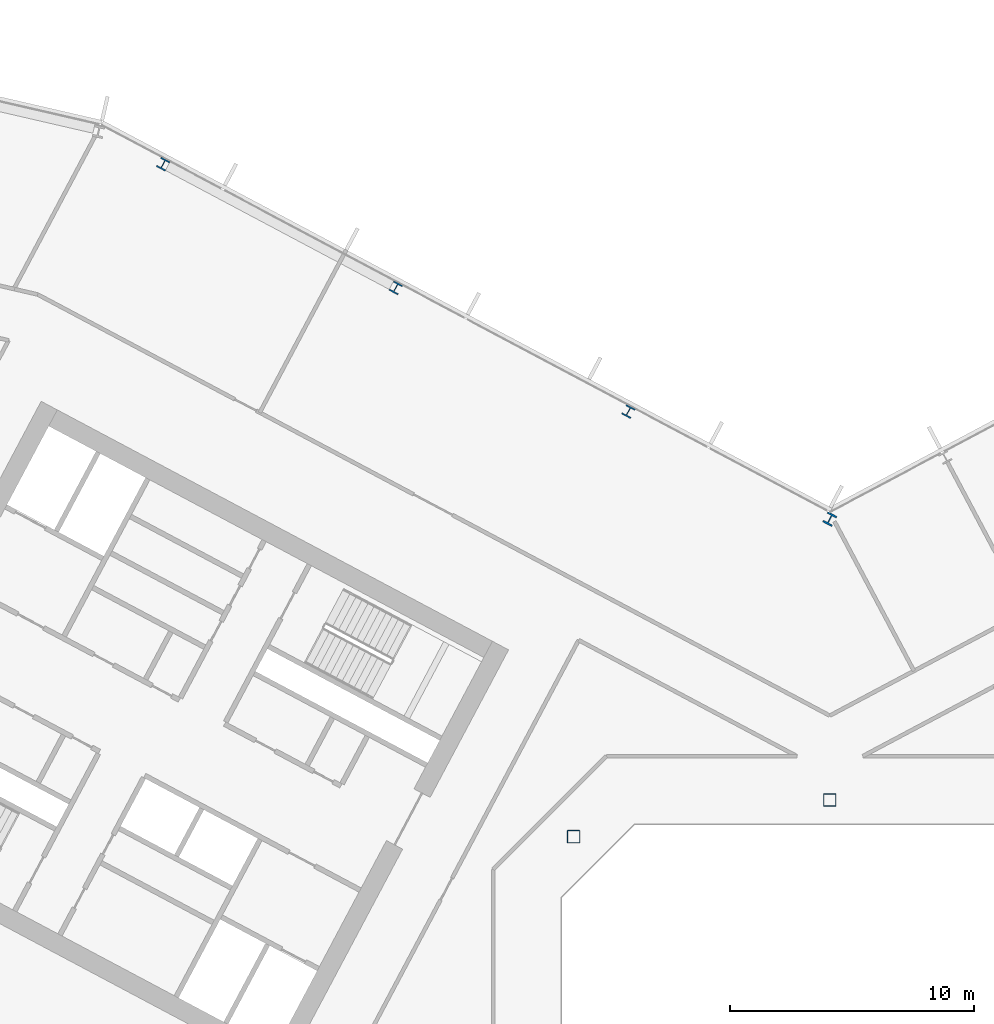
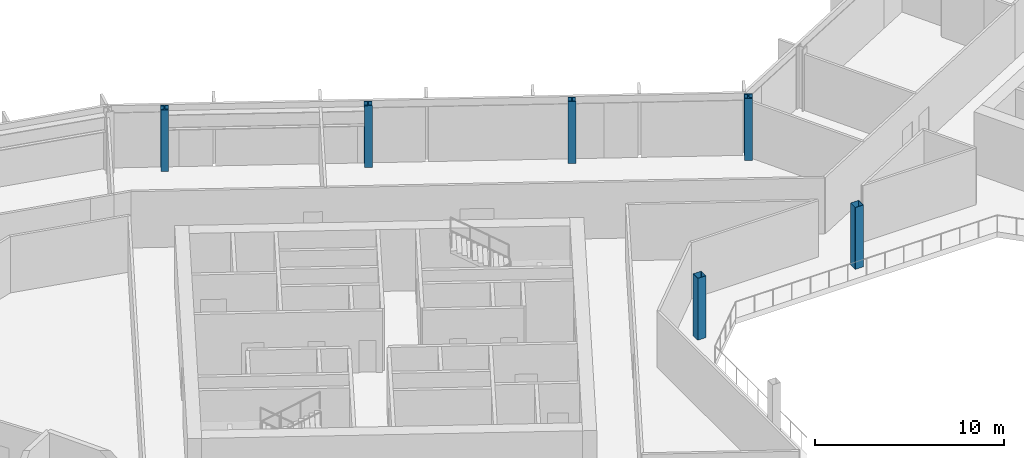
# One storey, part 4 of 28: 6 columns.
"""IFC4 building model written with IfcOpenShell, lengths in metres."""

import ifcopenshell
import ifcopenshell.guid

model = None  # the IFC model being written
_history = None  # IfcOwnerHistory: only IFC2X3 demands one
_inside = {}  # id of a spatial element -> (the spatial element, [elements in it])
_under = {}  # id of a project, library or spatial element -> (it, [spatial elements below it])
_declared = {}  # id of a project -> (the project, [libraries it declares])
_typed = {}  # id of a type object -> (the type object, [elements of that type])
_made_of = {}  # id of a material, layer set ... -> (it, [elements and type objects made of it])


def new_model(schema):
    """Start an empty IFC model of exactly this schema.

    Asked for "IFC4X3", IfcOpenShell would pick the latest addendum, in which some entities
    have other attributes; the version numbers below select the first issue.
    IFC2X3 requires an IfcOwnerHistory on every rooted entity: one is made here for all.
    """
    global model, _history
    if schema == "IFC4X3":
        model = ifcopenshell.file(schema_version=(4, 3, 0, 0))
    else:
        model = ifcopenshell.file(schema=schema)
    _inside.clear()
    _under.clear()
    _declared.clear()
    _typed.clear()
    _made_of.clear()
    _history = None
    if model.schema == "IFC2X3":
        org = make("IfcOrganization", Name="unknown")
        user = make(
            "IfcPersonAndOrganization",
            ThePerson=make("IfcPerson", FamilyName="unknown"),
            TheOrganization=org,
        )
        app = make(
            "IfcApplication",
            ApplicationDeveloper=org,
            Version="unknown",
            ApplicationFullName="unknown",
            ApplicationIdentifier="unknown",
        )
        _history = make(
            "IfcOwnerHistory",
            OwningUser=user,
            OwningApplication=app,
            ChangeAction="ADDED",
            CreationDate=0,
        )
    return model


def make(cls, **values):
    """One entity of the class cls with the attributes given. An attribute that is None is left unset."""
    return model.create_entity(
        cls, **{name: value for name, value in values.items() if value is not None}
    )


def rooted(cls, **values):
    """An entity with a GlobalId (a new one), such as an element, a storey or a relation."""
    return make(cls, GlobalId=ifcopenshell.guid.new(), OwnerHistory=_history, **values)


def si_unit(unit_type, name, prefix=None):
    """IfcSIUnit, for example si_unit("LENGTHUNIT", "METRE", prefix="MILLI")."""
    return make("IfcSIUnit", UnitType=unit_type, Prefix=prefix, Name=name)


def assignment(units):
    """IfcUnitAssignment: the units of a project."""
    return None if units is None else make("IfcUnitAssignment", Units=units)


def point(xyz):
    """IfcCartesianPoint."""
    return None if xyz is None else make("IfcCartesianPoint", Coordinates=xyz)


def direction(xyz):
    """IfcDirection."""
    return None if xyz is None else make("IfcDirection", DirectionRatios=xyz)


def frame(location, z_axis=None, x_axis=None):
    """IfcAxis2Placement3D, a coordinate frame: its origin and axes. An axis left out is left unset."""
    return make(
        "IfcAxis2Placement3D",
        Location=point(location),
        Axis=direction(z_axis),
        RefDirection=direction(x_axis),
    )


def frame_2d(location, x_axis=None):
    """IfcAxis2Placement2D, a coordinate frame in the plane: its origin and x axis."""
    return make(
        "IfcAxis2Placement2D", Location=point(location), RefDirection=direction(x_axis)
    )


def origin():
    """The frame at (0, 0, 0) with its axes left unset."""
    return frame((0.0, 0.0, 0.0))


def origin_2d():
    """The frame at (0, 0) in the plane with its x axis left unset."""
    return frame_2d((0.0, 0.0))


def place(relative_to, where):
    """IfcLocalPlacement: puts the frame where relative to a parent placement (None: the world)."""
    return make(
        "IfcLocalPlacement", PlacementRelTo=relative_to, RelativePlacement=where
    )


def context(
    kind, dimensions, precision=None, world=None, true_north=None, identifier=None
):
    """IfcGeometricRepresentationContext, for example the 3D "Model" context."""
    return make(
        "IfcGeometricRepresentationContext",
        ContextIdentifier=identifier,
        ContextType=kind,
        CoordinateSpaceDimension=dimensions,
        Precision=precision,
        WorldCoordinateSystem=world,
        TrueNorth=true_north,
    )


def subcontext(parent, identifier, kind, view, scale=None):
    """IfcGeometricRepresentationSubContext, for example "Body" below "Model"."""
    return make(
        "IfcGeometricRepresentationSubContext",
        ContextIdentifier=identifier,
        ContextType=kind,
        ParentContext=parent,
        TargetScale=scale,
        TargetView=view,
    )


def project(units=None, contexts=None):
    """IfcProject with its units and contexts."""
    return rooted(
        "IfcProject",
        Name="project",
        RepresentationContexts=contexts,
        UnitsInContext=assignment(units),
    )


def spatial(cls, under=None, at=None, **own):
    """A site, building, storey or space (cls), placed at a placement, below another one or the project."""
    s = rooted(cls, ObjectPlacement=at, **own)
    if under is not None:
        _under.setdefault(under.id(), (under, []))[1].append(s)
    return s


def profile(cls, at=None, kind="AREA", **sizes):
    """A parametric profile (cls). Its sizes go by their IFC names, for example OverallWidth=200.0."""
    return make(cls, ProfileType=kind, Position=at, **sizes)


def hollow_rectangle(**sizes):
    """IfcRectangleHollowProfileDef."""
    return profile("IfcRectangleHollowProfileDef", **sizes)


def i_section(**sizes):
    """IfcIShapeProfileDef."""
    return profile("IfcIShapeProfileDef", **sizes)


def extrude(swept, where, along, depth):
    """IfcExtrudedAreaSolid: the profile swept, set in the frame where, extruded along a direction by depth."""
    return make(
        "IfcExtrudedAreaSolid",
        SweptArea=swept,
        Position=where,
        ExtrudedDirection=direction(along),
        Depth=depth,
    )


def shape(context_of_items, identifier, shape_type, items):
    """IfcShapeRepresentation: the items that make up one representation, for example the "Body"."""
    return make(
        "IfcShapeRepresentation",
        ContextOfItems=context_of_items,
        RepresentationIdentifier=identifier,
        RepresentationType=shape_type,
        Items=items,
    )


def material(Name=None, Category=None):
    """IfcMaterial."""
    return make("IfcMaterial", Name=Name, Category=Category)


def material_profile(
    of_material, cross_section, Name=None, Category=None, Priority=None
):
    """IfcMaterialProfile: a cross section and its material."""
    return make(
        "IfcMaterialProfile",
        Name=Name,
        Material=of_material,
        Profile=cross_section,
        Priority=Priority,
        Category=Category,
    )


def profile_set(profiles, Name=None, composite=None):
    """IfcMaterialProfileSet."""
    return make(
        "IfcMaterialProfileSet",
        Name=Name,
        MaterialProfiles=profiles,
        CompositeProfile=composite,
    )


def made_of(thing, what):
    """Note that an element or type object is made of a material, layer set ...; save() writes the relation."""
    if what is not None:
        _made_of.setdefault(what.id(), (what, []))[1].append(thing)
    return thing


def type_object(cls, material=None, **own):
    """A type object (cls), such as IfcWallType, which elements share."""
    return made_of(rooted(cls, **own), material)


def element(
    cls,
    number,
    at=None,
    inside=None,
    cuts=None,
    type_object=None,
    material=None,
    context=None,
    identifier="Body",
    shape_type=None,
    held_by="IfcProductDefinitionShape",
    body=None,
    shapes=None,
    **own,
):
    """One element of the class cls, such as IfcWall. Its Tag is "e" and its number.

    at: its placement. inside: the storey or other place that contains it. cuts: it is an
    opening in that element (IfcRelVoidsElement). A single representation is given by context,
    identifier, shape_type and body (its items); several are given by shapes. held_by: the class
    of the entity that holds the representations. save() writes the other relations.
    """
    e = rooted(cls, Tag="e%d" % number, ObjectPlacement=at, **own)
    if body is not None:
        shapes = [shape(context, identifier, shape_type, body)]
    if shapes is not None:
        e.Representation = make(held_by, Representations=shapes)
    if inside is not None:
        _inside.setdefault(inside.id(), (inside, []))[1].append(e)
    if cuts is not None:
        rooted(
            "IfcRelVoidsElement", RelatingBuildingElement=cuts, RelatedOpeningElement=e
        )
    if type_object is not None:
        _typed.setdefault(type_object.id(), (type_object, []))[1].append(e)
    return made_of(e, material)


def aggregate(whole, parts):
    """IfcRelAggregates: a whole, such as a stair, and the parts it consists of."""
    return rooted("IfcRelAggregates", RelatingObject=whole, RelatedObjects=parts)


def save(model, path):
    """Write the relations noted so far, then the file.

    IfcRelAggregates (storeys below a building ...), IfcRelContainedInSpatialStructure (elements
    in a storey), IfcRelDefinesByType, IfcRelAssociatesMaterial and IfcRelDeclares: one each for
    every whole, place, type object, material and project.
    """
    for whole, parts in _under.values():
        aggregate(whole, parts)
    for where, things in _inside.values():
        rooted(
            "IfcRelContainedInSpatialStructure",
            RelatedElements=things,
            RelatingStructure=where,
        )
    for kind, things in _typed.values():
        rooted("IfcRelDefinesByType", RelatedObjects=things, RelatingType=kind)
    for what, things in _made_of.values():
        rooted("IfcRelAssociatesMaterial", RelatedObjects=things, RelatingMaterial=what)
    for by, libraries in _declared.values():
        rooted("IfcRelDeclares", RelatingContext=by, RelatedDefinitions=libraries)
    model.write(path)


model = new_model("IFC4")

# Units and contexts
model_context = context("Model", 3, precision=1e-05, world=origin(), true_north=direction((0.0, 1.0)))
body_context = subcontext(model_context, "Body", "Model", "MODEL_VIEW")
ifc_project = project(units=[si_unit("LENGTHUNIT", "METRE"), si_unit("AREAUNIT", "SQUARE_METRE"), si_unit("VOLUMEUNIT", "CUBIC_METRE"), si_unit("PLANEANGLEUNIT", "RADIAN"), si_unit("MASSUNIT", "GRAM", prefix="KILO")], contexts=[model_context])

# Site, building, storey
site_placement = place(None, origin())
site = spatial("IfcSite", under=ifc_project, at=site_placement, CompositionType="ELEMENT")
building_placement = place(site_placement, origin())
building = spatial("IfcBuilding", under=site, at=building_placement, Name="Cormorant Relay Tower", CompositionType="ELEMENT")
storey_placement = place(building_placement, frame((0.0, 0.0, 122.199951171875)))
storey = spatial("IfcBuildingStorey", under=building, at=storey_placement, Name="L24", CompositionType="ELEMENT", Elevation=122.199951171875)

# Columns
ifc_material_1 = material(Name="Steel ASTM A500 Grade C (Fy 345 MPa)", Category="steel")
ifc_material_profile_1 = material_profile(ifc_material_1, hollow_rectangle(XDim=0.508056640625, YDim=0.508056640625, WallThickness=0.01171875, InnerFilletRadius=0.005859375, OuterFilletRadius=0.017822265625, at=origin_2d()), Name="HSS508x508x12")
ifc_profile_set_1 = profile_set([ifc_material_profile_1], Name="Steel ASTM A500 Grade C (Fy 345 MPa)")
column_type_1 = type_object("IfcColumnType", Name="Column HSS508x508x12", PredefinedType="COLUMN", material=ifc_profile_set_1)
for number, where, z_axis, x_axis, name in (
    (1, (-10.5, 10.5, 0.0), (0.0, 0.0, 1.0), (1.0, 0.0, 0.0), "Column L24-023"),
    (2, (0.0, 12.0, 0.0), (0.0, 0.0, 1.0), (1.0, 0.0, 0.0), "Column L24-025"),
):
    element("IfcColumn", number, at=place(storey_placement, frame(where, z_axis=z_axis, x_axis=x_axis)), inside=storey, type_object=column_type_1, Name=name, PredefinedType="COLUMN", context=body_context, shape_type="SweptSolid", body=[
        extrude(hollow_rectangle(XDim=0.508056640625, YDim=0.508056640625, WallThickness=0.01171875, InnerFilletRadius=0.005859375, OuterFilletRadius=0.017822265625, at=origin_2d()), origin(), (0.0, 0.0, 1.0), 4.0),
    ])
ifc_material_2 = material(Name="Steel ASTM A992 (Fy 345 MPa)", Category="steel")
ifc_material_profile_2 = material_profile(ifc_material_2, i_section(OverallWidth=0.41162109375, OverallDepth=0.434326171875, WebThickness=0.035888671875, FlangeThickness=0.057373046875, FilletRadius=0.01513671875, at=origin_2d()), Name="W360x463")
ifc_profile_set_2 = profile_set([ifc_material_profile_2], Name="Steel ASTM A992 (Fy 345 MPa)")
column_type_2 = type_object("IfcColumnType", Name="Column W360x463", PredefinedType="COLUMN", material=ifc_profile_set_2)
for number, where, z_axis, x_axis, name in (
    (3, (-8.257080078125, 27.925048828125, 0.0), (0.0, 0.0, 1.0), (-0.882947592859, 0.469471562786, 0.0), "Column L24-036"),
    (4, (-17.7919921875, 32.9951171875, 0.0), (0.0, 0.0, 1.0), (-0.882947592859, 0.469471562786, 0.0), "Column L24-040"),
    (5, (-27.327880859375, 38.06494140625, 0.0), (0.0, 0.0, 1.0), (-0.882947592859, 0.469471562786, 0.0), "Column L24-044"),
):
    element("IfcColumn", number, at=place(storey_placement, frame(where, z_axis=z_axis, x_axis=x_axis)), inside=storey, type_object=column_type_2, Name=name, PredefinedType="COLUMN", context=body_context, shape_type="SweptSolid", body=[
        extrude(i_section(OverallWidth=0.41162109375, OverallDepth=0.434326171875, WebThickness=0.035888671875, FlangeThickness=0.057373046875, FilletRadius=0.01513671875, at=origin_2d()), origin(), (0.0, 0.0, 1.0), 4.0),
    ])
ifc_material_3 = material(Name="Steel ASTM A992 (Fy 345 MPa)", Category="steel")
ifc_material_profile_3 = material_profile(ifc_material_3, i_section(OverallWidth=0.42431640625, OverallDepth=0.47509765625, WebThickness=0.0478515625, FlangeThickness=0.0771484375, FilletRadius=0.014892578125, at=origin_2d()), Name="W360x634")
ifc_profile_set_3 = profile_set([ifc_material_profile_3], Name="Steel ASTM A992 (Fy 345 MPa)")
column_type_3 = type_object("IfcColumnType", Name="Column W360x634", PredefinedType="COLUMN", material=ifc_profile_set_3)
column_placement = place(storey_placement, frame((0.0, 23.513916015625, 0.0), z_axis=(0.0, 0.0, 1.0), x_axis=(-0.882947592859, 0.469471562786, 0.0)))
element("IfcColumn", 6, at=column_placement, inside=storey, type_object=column_type_3, Name="Column L24-032", PredefinedType="COLUMN", context=body_context, shape_type="SweptSolid", body=[
    extrude(i_section(OverallWidth=0.42431640625, OverallDepth=0.47509765625, WebThickness=0.0478515625, FlangeThickness=0.0771484375, FilletRadius=0.014892578125, at=origin_2d()), origin(), (0.0, 0.0, 1.0), 4.0),
])

save(model, "model.ifc")
